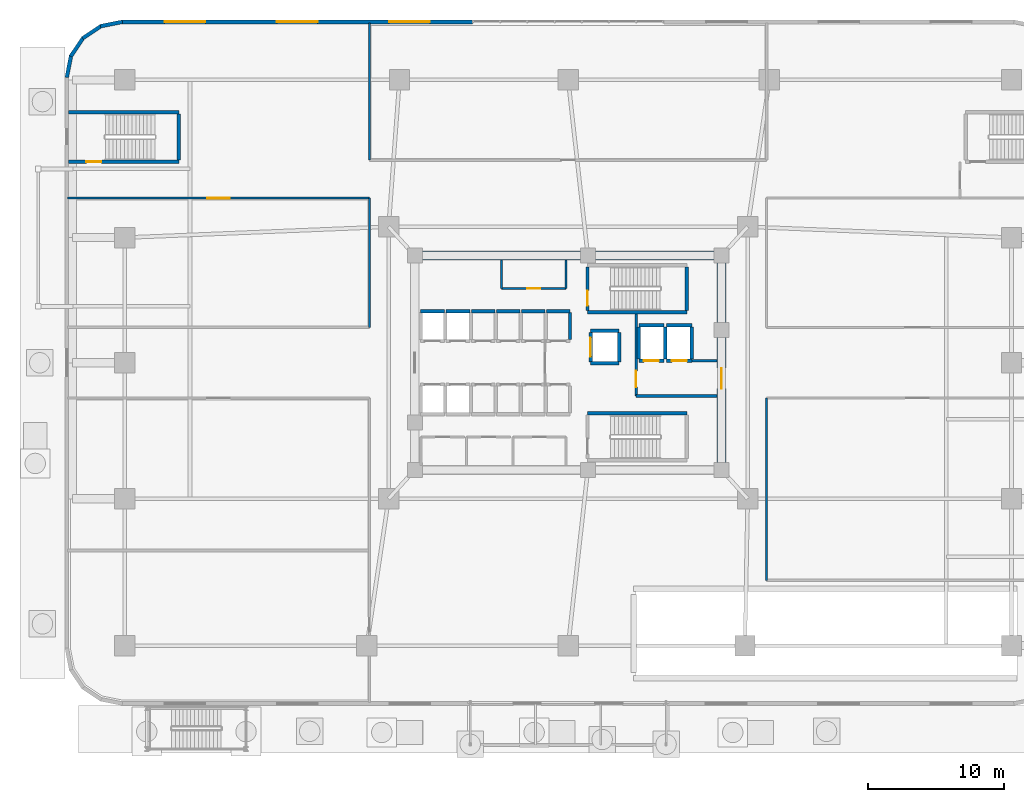
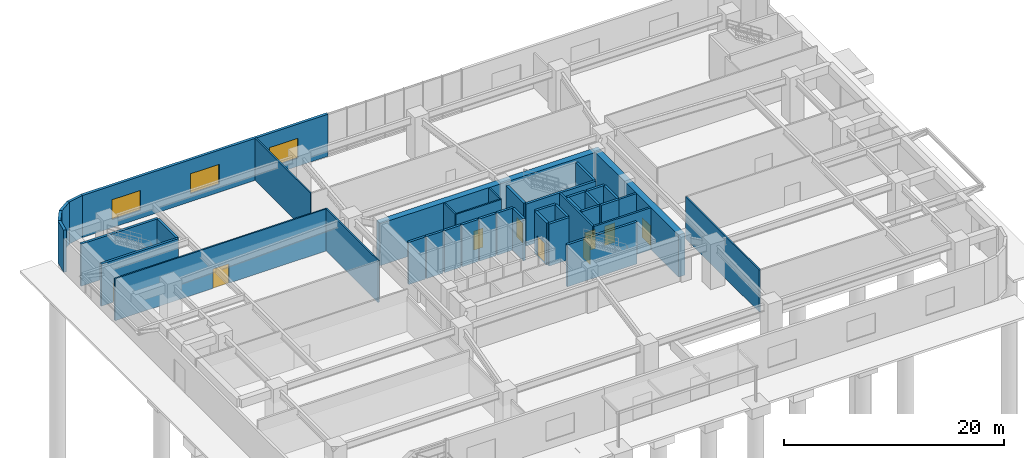
# One storey, part 13 of 18: 42 walls, 9 doors, 3 windows, 12 openings.
"""IFC4 building model written with IfcOpenShell, lengths in metres."""

from ifc_helpers import new_model, si_unit, direction, frame, frame_2d, origin, place, context, subcontext, project, spatial, rectangle, extrude, material, layer, layer_set, type_object, element, fill, save


model = new_model("IFC4")

# Units and contexts
model_context = context("Model", 3, precision=1e-05, world=origin(), true_north=direction((0.0, 1.0)))
body_context = subcontext(model_context, "Body", "Model", "MODEL_VIEW")
ifc_project = project(units=[si_unit("LENGTHUNIT", "METRE"), si_unit("AREAUNIT", "SQUARE_METRE"), si_unit("VOLUMEUNIT", "CUBIC_METRE"), si_unit("PLANEANGLEUNIT", "RADIAN"), si_unit("MASSUNIT", "GRAM", prefix="KILO")], contexts=[model_context])

# Site, building, storey
site_placement = place(None, origin())
site = spatial("IfcSite", under=ifc_project, at=site_placement, CompositionType="ELEMENT")
building_placement = place(site_placement, origin())
building = spatial("IfcBuilding", under=site, at=building_placement, Name="Zulverin Broadcast Headquarters", CompositionType="ELEMENT")
storey_placement = place(building_placement, origin())
storey = spatial("IfcBuildingStorey", under=building, at=storey_placement, Name="L00", CompositionType="ELEMENT", Elevation=0.0)

# Wall
ifc_material_1 = material(Name="Concrete C60/75", Category="concrete")
ifc_layer_1 = layer(ifc_material_1, 0.64990234375, Name="Concrete C60/75", Category="concrete")
ifc_layer_set_1 = layer_set([ifc_layer_1], Name="Concrete C60/75")
wall_type_1 = type_object("IfcWallType", Name="WL-CORE-650", PredefinedType="SHEAR", material=ifc_layer_set_1)
wall_1_placement = place(storey_placement, frame((25.39990234375, 33.074951171875, 0.0), z_axis=(0.0, 0.0, 1.0), x_axis=(1.0, 0.0, 0.0)))
element("IfcWall", 1, at=wall_1_placement, inside=storey, type_object=wall_type_1, Name="L00 Core North Shear Wall", PredefinedType="SHEAR", context=body_context, shape_type="SweptSolid", body=[
    extrude(rectangle(XDim=23.2001953125, YDim=0.64990234375, at=frame_2d((11.60009765625, 0.0))), origin(), (0.0, 0.0, 1.0), 4.659912109375),
])

# Wall, opening, door
wall_2_placement = place(storey_placement, frame((48.27490234375, 17.64990234375, 0.0), z_axis=(0.0, 0.0, 1.0), x_axis=(0.0, 1.0, 0.0)))
wall_2 = element("IfcWall", 2, at=wall_2_placement, inside=storey, type_object=wall_type_1, Name="L00 Core East Shear Wall", PredefinedType="SHEAR", context=body_context, shape_type="SweptSolid", body=[
    extrude(rectangle(XDim=15.10009765625, YDim=0.64990234375, at=frame_2d((7.550048828125, 0.0))), origin(), (0.0, 0.0, 1.0), 4.659912109375),
])
opening_1_placement = place(wall_2_placement, frame((5.64990234375, 0.0, 0.0)))
opening_1 = element("IfcOpeningElement", 3, at=opening_1_placement, cuts=wall_2, Name="Opening D-L00-CE1", PredefinedType="OPENING", context=body_context, shape_type="SweptSolid", body=[
    extrude(rectangle(XDim=1.5, YDim=2.14990234375, at=frame_2d((0.75, 1.074951171875))), frame((0.0, 0.3349609375, 0.0), z_axis=(0.0, -1.0, 0.0), x_axis=(1.0, 0.0, 0.0)), (0.0, 0.0, 1.0), 0.669921875),
])
ifc_material_2 = material(Name="Fire-rated glazed steel frame", Category="steel")
door_type_1 = type_object("IfcDoorType", Name="DR-COR-1500", OperationType="DOUBLE_DOOR_SINGLE_SWING", PredefinedType="DOOR", material=ifc_material_2)
door_1_placement = place(opening_1_placement, origin())
door_1 = element("IfcDoor", 4, at=door_1_placement, inside=storey, type_object=door_type_1, Name="L00 Firefighting Lobby East Corridor Door", OperationType="DOUBLE_DOOR_SINGLE_SWING", OverallHeight=2.14990234375, OverallWidth=1.5, PredefinedType="DOOR", context=body_context, shape_type="SweptSolid", body=[
    extrude(rectangle(XDim=1.5, YDim=2.14990234375, at=frame_2d((0.75, 1.074951171875))), frame((0.0, 0.02490234375, 0.0), z_axis=(0.0, -1.0, 0.0), x_axis=(1.0, 0.0, 0.0)), (0.0, 0.0, 1.0), 0.050048828125),
])
fill(opening_1, door_1)

# Wall, openings, windows
ifc_material_3 = material(Name="Insulated pale-metal clad concrete spandrel C40/50", Category="concrete")
ifc_layer_2 = layer(ifc_material_3, 0.280029296875, Name="Insulated pale-metal clad concrete spandrel C40/50", Category="concrete")
ifc_layer_set_2 = layer_set([ifc_layer_2], Name="Insulated pale-metal clad concrete spandrel C40/50")
wall_type_2 = type_object("IfcWallType", Name="WL-EXT-280", PredefinedType="STANDARD", material=ifc_layer_set_2)
wall_3_placement = place(storey_placement, frame((29.9619140625, 50.260009765625, 0.0), z_axis=(0.0, 0.0, 1.0), x_axis=(-1.0, 0.0, 0.0)))
wall_3 = element("IfcWall", 5, at=wall_3_placement, inside=storey, type_object=wall_type_2, Name="L00 Podium Flank Wall 2-2", PredefinedType="STANDARD", context=body_context, shape_type="SweptSolid", body=[
    extrude(rectangle(XDim=25.761962890625, YDim=0.280029296875, at=frame_2d((12.880859375, 0.0))), origin(), (0.0, 0.0, 1.0), 4.659912109375),
])
opening_2_placement = place(wall_3_placement, frame((3.126953125, 0.0, 0.89990234375)))
opening_2 = element("IfcOpeningElement", 6, at=opening_2_placement, cuts=wall_3, Name="Opening W-L00-F221", PredefinedType="OPENING", context=body_context, shape_type="SweptSolid", body=[
    extrude(rectangle(XDim=3.0, YDim=2.199951171875, at=frame_2d((1.5, 1.10009765625))), frame((0.0, 0.14990234375, 0.0), z_axis=(0.0, -1.0, 0.0), x_axis=(1.0, 0.0, 0.0)), (0.0, 0.0, 1.0), 0.300048828125),
])
opening_3_placement = place(wall_3_placement, frame((11.381103515625, 0.0, 0.89990234375)))
opening_3 = element("IfcOpeningElement", 7, at=opening_3_placement, cuts=wall_3, Name="Opening W-L00-F222", PredefinedType="OPENING", context=body_context, shape_type="SweptSolid", body=[
    extrude(rectangle(XDim=3.0, YDim=2.199951171875, at=frame_2d((1.5, 1.10009765625))), frame((0.0, 0.14990234375, 0.0), z_axis=(0.0, -1.0, 0.0), x_axis=(1.0, 0.0, 0.0)), (0.0, 0.0, 1.0), 0.300048828125),
])
opening_4_placement = place(wall_3_placement, frame((19.635009765625, 0.0, 0.89990234375)))
opening_4 = element("IfcOpeningElement", 8, at=opening_4_placement, cuts=wall_3, Name="Opening W-L00-F223", PredefinedType="OPENING", context=body_context, shape_type="SweptSolid", body=[
    extrude(rectangle(XDim=3.0, YDim=2.199951171875, at=frame_2d((1.5, 1.10009765625))), frame((0.0, 0.14990234375, 0.0), z_axis=(0.0, -1.0, 0.0), x_axis=(1.0, 0.0, 0.0)), (0.0, 0.0, 1.0), 0.300048828125),
])
ifc_material_4 = material(Name="Pale anodized aluminium frame with solar-control low-E double glazing", Category="aluminium")
window_type = type_object("IfcWindowType", Name="WIN-POD-3000", PartitioningType="SINGLE_PANEL", PredefinedType="WINDOW", material=ifc_material_4)
window_1_placement = place(opening_2_placement, origin())
window_1 = element("IfcWindow", 9, at=window_1_placement, inside=storey, type_object=window_type, Name="L00 Podium Flank Window 2-2 1", OverallHeight=2.199951171875, OverallWidth=3.0, PartitioningType="SINGLE_PANEL", PredefinedType="WINDOW", context=body_context, shape_type="SweptSolid", body=[
    extrude(rectangle(XDim=3.0, YDim=2.199951171875, at=frame_2d((1.5, 1.10009765625))), frame((0.0, 0.030029296875, 0.0), z_axis=(0.0, -1.0, 0.0), x_axis=(1.0, 0.0, 0.0)), (0.0, 0.0, 1.0), 0.06005859375),
])
fill(opening_2, window_1)
window_2_placement = place(opening_3_placement, origin())
window_2 = element("IfcWindow", 10, at=window_2_placement, inside=storey, type_object=window_type, Name="L00 Podium Flank Window 2-2 2", OverallHeight=2.199951171875, OverallWidth=3.0, PartitioningType="SINGLE_PANEL", PredefinedType="WINDOW", context=body_context, shape_type="SweptSolid", body=[
    extrude(rectangle(XDim=3.0, YDim=2.199951171875, at=frame_2d((1.5, 1.10009765625))), frame((0.0, 0.030029296875, 0.0), z_axis=(0.0, -1.0, 0.0), x_axis=(1.0, 0.0, 0.0)), (0.0, 0.0, 1.0), 0.06005859375),
])
fill(opening_3, window_2)
window_3_placement = place(opening_4_placement, origin())
window_3 = element("IfcWindow", 11, at=window_3_placement, inside=storey, type_object=window_type, Name="L00 Podium Flank Window 2-2 3", OverallHeight=2.199951171875, OverallWidth=3.0, PartitioningType="SINGLE_PANEL", PredefinedType="WINDOW", context=body_context, shape_type="SweptSolid", body=[
    extrude(rectangle(XDim=3.0, YDim=2.199951171875, at=frame_2d((1.5, 1.10009765625))), frame((0.0, 0.030029296875, 0.0), z_axis=(0.0, -1.0, 0.0), x_axis=(1.0, 0.0, 0.0)), (0.0, 0.0, 1.0), 0.06005859375),
])
fill(opening_4, window_3)

# Walls
wall_4_placement = place(storey_placement, frame((4.227294921875, 50.2626953125, 0.0), z_axis=(0.0, 0.0, 1.0), x_axis=(-0.980797825116, -0.195027244885, 0.0)))
element("IfcWall", 12, at=wall_4_placement, inside=storey, type_object=wall_type_2, Name="L00 Wind-Shaped Corner Spandrel Wall 2-1", PredefinedType="STANDARD", context=body_context, shape_type="SweptSolid", body=[
    extrude(rectangle(XDim=1.638671875, YDim=0.280029296875, at=frame_2d((0.8193359375, 0.0))), origin(), (0.0, 0.0, 1.0), 4.659912109375),
])
wall_5_placement = place(storey_placement, frame((2.67041015625, 49.9638671875, 0.0), z_axis=(0.0, 0.0, 1.0), x_axis=(-0.831430845238, -0.555628247651, 0.0)))
element("IfcWall", 13, at=wall_5_placement, inside=storey, type_object=wall_type_2, Name="L00 Wind-Shaped Corner Spandrel Wall 2-2", PredefinedType="STANDARD", context=body_context, shape_type="SweptSolid", body=[
    extrude(rectangle(XDim=1.638427734375, YDim=0.280029296875, at=frame_2d((0.8193359375, 0.0))), origin(), (0.0, 0.0, 1.0), 4.659912109375),
])
for number, where, z_axis, x_axis, name in (
    (14, (1.3466796875, 49.092041015625, 0.0), (0.0, 0.0, 1.0), (-0.555662407875, -0.831408015643, 0.0), "L00 Wind-Shaped Corner Spandrel Wall 2-3"),
    (15, (0.45703125, 47.780029296875, 0.0), (0.0, 0.0, 1.0), (-0.195142046967, -0.980774990253, 0.0), "L00 Wind-Shaped Corner Spandrel Wall 2-4"),
):
    element("IfcWall", number, at=place(storey_placement, frame(where, z_axis=z_axis, x_axis=x_axis)), inside=storey, type_object=wall_type_2, Name=name, PredefinedType="STANDARD", context=body_context, shape_type="SweptSolid", body=[
        extrude(rectangle(XDim=1.638916015625, YDim=0.280029296875, at=frame_2d((0.8193359375, 0.0))), origin(), (0.0, 0.0, 1.0), 4.659912109375),
    ])

# Wall, opening, door
ifc_material_5 = material(Name="Concrete C40/50", Category="concrete")
ifc_layer_3 = layer(ifc_material_5, 0.199951171875, Name="Concrete C40/50", Category="concrete")
ifc_layer_set_3 = layer_set([ifc_layer_3], Name="Concrete C40/50")
wall_type_3 = type_object("IfcWallType", Name="WL-FFL-200", PredefinedType="SOLIDWALL", material=ifc_layer_set_3)
wall_6_placement = place(storey_placement, frame((42.0, 22.75, 0.0), z_axis=(0.0, 0.0, 1.0), x_axis=(0.0, 1.0, 0.0)))
wall_6 = element("IfcWall", 16, at=wall_6_placement, inside=storey, type_object=wall_type_3, Name="L00 Firefighting Lift Lobby West Wall", PredefinedType="SOLIDWALL", context=body_context, shape_type="SweptSolid", body=[
    extrude(rectangle(XDim=6.050048828125, YDim=0.199951171875, at=frame_2d((3.02490234375, 0.0))), origin(), (0.0, 0.0, 1.0), 4.659912109375),
])
opening_5_placement = place(wall_6_placement, frame((0.64990234375, 0.0, 0.0)))
opening_5 = element("IfcOpeningElement", 17, at=opening_5_placement, cuts=wall_6, Name="Opening D-L00-FFLW", PredefinedType="OPENING", context=body_context, shape_type="SweptSolid", body=[
    extrude(rectangle(XDim=1.199951171875, YDim=2.14990234375, at=frame_2d((0.60009765625, 1.074951171875))), frame((0.0, 0.10986328125, 0.0), z_axis=(0.0, -1.0, 0.0), x_axis=(1.0, 0.0, 0.0)), (0.0, 0.0, 1.0), 0.219970703125),
])
ifc_material_6 = material(Name="Fire-rated steel leaf and frame", Category="steel")
door_type_2 = type_object("IfcDoorType", Name="DR-FFL-1200", OperationType="SINGLE_SWING_RIGHT", PredefinedType="DOOR", material=ifc_material_6)
door_2_placement = place(opening_5_placement, origin())
door_2 = element("IfcDoor", 18, at=door_2_placement, inside=storey, type_object=door_type_2, Name="L00 Firefighting Lift Lobby Door", OperationType="SINGLE_SWING_RIGHT", OverallHeight=2.14990234375, OverallWidth=1.199951171875, PredefinedType="DOOR", context=body_context, shape_type="SweptSolid", body=[
    extrude(rectangle(XDim=1.199951171875, YDim=2.14990234375, at=frame_2d((0.60009765625, 1.074951171875))), frame((0.0, 0.02490234375, 0.0), z_axis=(0.0, -1.0, 0.0), x_axis=(1.0, 0.0, 0.0)), (0.0, 0.0, 1.0), 0.050048828125),
])
fill(opening_5, door_2)

# Walls
wall_7_placement = place(storey_placement, frame((42.0, 22.75, 0.0), z_axis=(0.0, 0.0, 1.0), x_axis=(1.0, 0.0, 0.0)))
element("IfcWall", 19, at=wall_7_placement, inside=storey, type_object=wall_type_3, Name="L00 Firefighting Lift Lobby South Wall", PredefinedType="SOLIDWALL", context=body_context, shape_type="SweptSolid", body=[
    extrude(rectangle(XDim=5.949951171875, YDim=0.199951171875, at=frame_2d((2.97509765625, 0.0))), origin(), (0.0, 0.0, 1.0), 4.659912109375),
])
wall_8_placement = place(storey_placement, frame((46.10009765625, 25.35009765625, 0.0), z_axis=(0.0, 0.0, 1.0), x_axis=(1.0, 0.0, 0.0)))
element("IfcWall", 20, at=wall_8_placement, inside=storey, type_object=wall_type_3, Name="L00 Firefighting Lift Lobby North Wall", PredefinedType="SOLIDWALL", context=body_context, shape_type="SweptSolid", body=[
    extrude(rectangle(XDim=1.849853515625, YDim=0.199951171875, at=frame_2d((0.9248046875, 0.0))), origin(), (0.0, 0.0, 1.0), 4.659912109375),
])

# Wall, opening, door
ifc_material_7 = material(Name="Fire-rated gypsum stud partition", Category="gypsum")
ifc_layer_4 = layer(ifc_material_7, 0.14990234375, Name="Fire-rated gypsum stud partition", Category="gypsum")
ifc_layer_set_4 = layer_set([ifc_layer_4], Name="Fire-rated gypsum stud partition")
wall_type_4 = type_object("IfcWallType", Name="WL-PART-150", PredefinedType="PARTITIONING", material=ifc_layer_set_4)
wall_9_placement = place(storey_placement, frame((32.10009765625, 30.64990234375, 0.0), z_axis=(0.0, 0.0, 1.0), x_axis=(1.0, 0.0, 0.0)))
wall_9 = element("IfcWall", 21, at=wall_9_placement, inside=storey, type_object=wall_type_4, Name="L00 Core Accessible WC & Electrical Riser Front Wall", PredefinedType="PARTITIONING", context=body_context, shape_type="SweptSolid", body=[
    extrude(rectangle(XDim=4.75, YDim=0.14990234375, at=frame_2d((2.375, 0.0))), origin(), (0.0, 0.0, 1.0), 4.659912109375),
])
opening_6_placement = place(wall_9_placement, frame((1.89990234375, 0.0, 0.0)))
opening_6 = element("IfcOpeningElement", 22, at=opening_6_placement, cuts=wall_9, Name="Opening D-L00-NC1", PredefinedType="OPENING", context=body_context, shape_type="SweptSolid", body=[
    extrude(rectangle(XDim=0.949951171875, YDim=2.10009765625, at=frame_2d((0.47509765625, 1.050048828125))), frame((0.0, 0.0849609375, 0.0), z_axis=(0.0, -1.0, 0.0), x_axis=(1.0, 0.0, 0.0)), (0.0, 0.0, 1.0), 0.169921875),
])
ifc_material_8 = material(Name="Fire-rated moisture-resistant laminate leaf", Category="wood")
door_type_3 = type_object("IfcDoorType", Name="DR-WC-950", OperationType="SINGLE_SWING_LEFT", PredefinedType="DOOR", material=ifc_material_8)
door_3_placement = place(opening_6_placement, origin())
door_3 = element("IfcDoor", 23, at=door_3_placement, inside=storey, type_object=door_type_3, Name="L00 Accessible WC & Electrical Riser Door", OperationType="SINGLE_SWING_LEFT", OverallHeight=2.10009765625, OverallWidth=0.949951171875, PredefinedType="DOOR", context=body_context, shape_type="SweptSolid", body=[
    extrude(rectangle(XDim=0.949951171875, YDim=2.10009765625, at=frame_2d((0.47509765625, 1.050048828125))), frame((0.0, 0.02490234375, 0.0), z_axis=(0.0, -1.0, 0.0), x_axis=(1.0, 0.0, 0.0)), (0.0, 0.0, 1.0), 0.050048828125),
])
fill(opening_6, door_3)

# Walls
for number, where, z_axis, x_axis, name in (
    (24, (32.10009765625, 30.64990234375, 0.0), (0.0, 0.0, 1.0), (0.0, 1.0, 0.0), "L00 Core Accessible WC & Electrical Riser West Wall"),
    (25, (36.85009765625, 30.64990234375, 0.0), (0.0, 0.0, 1.0), (0.0, 1.0, 0.0), "L00 Core Accessible WC & Electrical Riser East Wall"),
):
    element("IfcWall", number, at=place(storey_placement, frame(where, z_axis=z_axis, x_axis=x_axis)), inside=storey, type_object=wall_type_4, Name=name, PredefinedType="PARTITIONING", context=body_context, shape_type="SweptSolid", body=[
        extrude(rectangle(XDim=2.10009765625, YDim=0.14990234375, at=frame_2d((1.050048828125, 0.0))), origin(), (0.0, 0.0, 1.0), 4.659912109375),
    ])
wall_10_placement = place(storey_placement, frame((51.60009765625, 9.199951171875, 0.0), z_axis=(0.0, 0.0, 1.0), x_axis=(0.0, 1.0, 0.0)))
element("IfcWall", 26, at=wall_10_placement, inside=storey, type_object=wall_type_4, Name="L00 Gallery Partition Wall CG-02", PredefinedType="PARTITIONING", context=body_context, shape_type="SweptSolid", body=[
    extrude(rectangle(XDim=13.400146484375, YDim=0.14990234375, at=frame_2d((6.7001953125, 0.0))), origin(), (0.0, 0.0, 1.0), 4.659912109375),
])
wall_11_placement = place(storey_placement, frame((22.39990234375, 27.800048828125, 0.0), z_axis=(0.0, 0.0, 1.0), x_axis=(0.0, 1.0, 0.0)))
element("IfcWall", 27, at=wall_11_placement, inside=storey, type_object=wall_type_4, Name="L00 Gallery Partition Wall CG-06", PredefinedType="PARTITIONING", context=body_context, shape_type="SweptSolid", body=[
    extrude(rectangle(XDim=9.5, YDim=0.14990234375, at=frame_2d((4.75, 0.0))), origin(), (0.0, 0.0, 1.0), 4.659912109375),
])
wall_12_placement = place(storey_placement, frame((22.39990234375, 40.10009765625, 0.0), z_axis=(0.0, 0.0, 1.0), x_axis=(0.0, 1.0, 0.0)))
element("IfcWall", 28, at=wall_12_placement, inside=storey, type_object=wall_type_4, Name="L00 Gallery Partition Wall CG-07", PredefinedType="PARTITIONING", context=body_context, shape_type="SweptSolid", body=[
    extrude(rectangle(XDim=10.094970703125, YDim=0.14990234375, at=frame_2d((5.04736328125, 0.0))), origin(), (0.0, 0.0, 1.0), 4.659912109375),
])

# Wall, opening, door
wall_13_placement = place(storey_placement, frame((0.205078125, 37.300048828125, 0.0), z_axis=(0.0, 0.0, 1.0), x_axis=(1.0, 0.0, 0.0)))
wall_13 = element("IfcWall", 29, at=wall_13_placement, inside=storey, type_object=wall_type_4, Name="L00 Gallery Partition Wall CG-14", PredefinedType="PARTITIONING", context=body_context, shape_type="SweptSolid", body=[
    extrude(rectangle(XDim=22.19482421875, YDim=0.14990234375, at=frame_2d((11.097412109375, 0.0))), origin(), (0.0, 0.0, 1.0), 4.659912109375),
])
opening_7_placement = place(wall_13_placement, frame((10.2724609375, 0.0, 0.0)))
opening_7 = element("IfcOpeningElement", 30, at=opening_7_placement, cuts=wall_13, Name="Opening D-L00-AUD", PredefinedType="OPENING", context=body_context, shape_type="SweptSolid", body=[
    extrude(rectangle(XDim=1.64990234375, YDim=2.14990234375, at=frame_2d((0.824951171875, 1.074951171875))), frame((0.0, 0.0849609375, 0.0), z_axis=(0.0, -1.0, 0.0), x_axis=(1.0, 0.0, 0.0)), (0.0, 0.0, 1.0), 0.169921875),
])
ifc_material_9 = material(Name="Fire-rated acoustic double leaf", Category="steel")
door_type_4 = type_object("IfcDoorType", Name="DR-AUD-1650", OperationType="DOUBLE_DOOR_SINGLE_SWING", PredefinedType="DOOR", material=ifc_material_9)
door_4_placement = place(opening_7_placement, origin())
door_4 = element("IfcDoor", 31, at=door_4_placement, inside=storey, type_object=door_type_4, Name="L00 Broadcast Media Exhibition Gallery Door", OperationType="DOUBLE_DOOR_SINGLE_SWING", OverallHeight=2.14990234375, OverallWidth=1.64990234375, PredefinedType="DOOR", context=body_context, shape_type="SweptSolid", body=[
    extrude(rectangle(XDim=1.64990234375, YDim=2.14990234375, at=frame_2d((0.824951171875, 1.074951171875))), frame((0.0, 0.02490234375, 0.0), z_axis=(0.0, -1.0, 0.0), x_axis=(1.0, 0.0, 0.0)), (0.0, 0.0, 1.0), 0.050048828125),
])
fill(opening_7, door_4)

# Wall
ifc_material_10 = material(Name="Concrete C50/60", Category="concrete")
ifc_layer_5 = layer(ifc_material_10, 0.25, Name="Concrete C50/60", Category="concrete")
ifc_layer_set_5 = layer_set([ifc_layer_5], Name="Concrete C50/60")
wall_type_5 = type_object("IfcWallType", Name="WL-SHAFT-250", PredefinedType="SHEAR", material=ifc_layer_set_5)
wall_14_placement = place(storey_placement, frame((38.425048828125, 28.925048828125, 0.0), z_axis=(0.0, 0.0, 1.0), x_axis=(1.0, 0.0, 0.0)))
element("IfcWall", 32, at=wall_14_placement, inside=storey, type_object=wall_type_5, Name="L00 ST-1 Enclosure Wall S", PredefinedType="SHEAR", context=body_context, shape_type="SweptSolid", body=[
    extrude(rectangle(XDim=7.300048828125, YDim=0.25, at=frame_2d((3.64990234375, 0.0))), origin(), (0.0, 0.0, 1.0), 4.659912109375),
])

# Wall, opening, door
wall_15_placement = place(storey_placement, frame((38.425048828125, 29.050048828125, 0.0), z_axis=(0.0, 0.0, 1.0), x_axis=(0.0, 1.0, 0.0)))
wall_15 = element("IfcWall", 33, at=wall_15_placement, inside=storey, type_object=wall_type_5, Name="L00 ST-1 Enclosure Wall W", PredefinedType="SHEAR", context=body_context, shape_type="SweptSolid", body=[
    extrude(rectangle(XDim=3.199951171875, YDim=0.25, at=frame_2d((1.60009765625, 0.0))), origin(), (0.0, 0.0, 1.0), 4.659912109375),
])
opening_8_placement = place(wall_15_placement, frame((0.35009765625, 0.0, 0.0)))
opening_8 = element("IfcOpeningElement", 34, at=opening_8_placement, cuts=wall_15, Name="Opening D-L00-ST-1", PredefinedType="OPENING", context=body_context, shape_type="SweptSolid", body=[
    extrude(rectangle(XDim=1.10009765625, YDim=2.14990234375, at=frame_2d((0.550048828125, 1.074951171875))), frame((0.0, 0.135009765625, 0.0), z_axis=(0.0, -1.0, 0.0), x_axis=(1.0, 0.0, 0.0)), (0.0, 0.0, 1.0), 0.27001953125),
])
door_type_5 = type_object("IfcDoorType", Name="DR-STAIR-1100", OperationType="SINGLE_SWING_LEFT", PredefinedType="DOOR", material=ifc_material_6)
door_5_placement = place(opening_8_placement, origin())
door_5 = element("IfcDoor", 35, at=door_5_placement, inside=storey, type_object=door_type_5, Name="L00 Exit Stair ST-1 Fire Door", OperationType="SINGLE_SWING_LEFT", OverallHeight=2.14990234375, OverallWidth=1.10009765625, PredefinedType="DOOR", context=body_context, shape_type="SweptSolid", body=[
    extrude(rectangle(XDim=1.10009765625, YDim=2.14990234375, at=frame_2d((0.550048828125, 1.074951171875))), frame((0.0, 0.02490234375, 0.0), z_axis=(0.0, -1.0, 0.0), x_axis=(1.0, 0.0, 0.0)), (0.0, 0.0, 1.0), 0.050048828125),
])
fill(opening_8, door_5)

# Walls
wall_16_placement = place(storey_placement, frame((45.72509765625, 29.050048828125, 0.0), z_axis=(0.0, 0.0, 1.0), x_axis=(0.0, 1.0, 0.0)))
element("IfcWall", 36, at=wall_16_placement, inside=storey, type_object=wall_type_5, Name="L00 ST-1 Enclosure Wall E", PredefinedType="SHEAR", context=body_context, shape_type="SweptSolid", body=[
    extrude(rectangle(XDim=3.199951171875, YDim=0.25, at=frame_2d((1.60009765625, 0.0))), origin(), (0.0, 0.0, 1.0), 4.659912109375),
])
wall_17_placement = place(storey_placement, frame((38.425048828125, 21.47509765625, 0.0), z_axis=(0.0, 0.0, 1.0), x_axis=(1.0, 0.0, 0.0)))
element("IfcWall", 37, at=wall_17_placement, inside=storey, type_object=wall_type_5, Name="L00 ST-2 Enclosure Wall N", PredefinedType="SHEAR", context=body_context, shape_type="SweptSolid", body=[
    extrude(rectangle(XDim=7.300048828125, YDim=0.25, at=frame_2d((3.64990234375, 0.0))), origin(), (0.0, 0.0, 1.0), 4.659912109375),
])

# Wall, opening, door
wall_18_placement = place(storey_placement, frame((0.280029296875, 39.97509765625, 0.0), z_axis=(0.0, 0.0, 1.0), x_axis=(1.0, 0.0, 0.0)))
wall_18 = element("IfcWall", 38, at=wall_18_placement, inside=storey, type_object=wall_type_5, Name="L00 ST-3 Enclosure Wall S", PredefinedType="SHEAR", context=body_context, shape_type="SweptSolid", body=[
    extrude(rectangle(XDim=8.094970703125, YDim=0.25, at=frame_2d((4.04736328125, 0.0))), origin(), (0.0, 0.0, 1.0), 4.659912109375),
])
opening_9_placement = place(wall_18_placement, frame((1.294921875, 0.0, 0.0)))
opening_9 = element("IfcOpeningElement", 39, at=opening_9_placement, cuts=wall_18, Name="Opening D-L00-ST-3", PredefinedType="OPENING", context=body_context, shape_type="SweptSolid", body=[
    extrude(rectangle(XDim=1.10009765625, YDim=2.14990234375, at=frame_2d((0.550048828125, 1.074951171875))), frame((0.0, 0.135009765625, 0.0), z_axis=(0.0, -1.0, 0.0), x_axis=(1.0, 0.0, 0.0)), (0.0, 0.0, 1.0), 0.27001953125),
])
door_6_placement = place(opening_9_placement, origin())
door_6 = element("IfcDoor", 40, at=door_6_placement, inside=storey, type_object=door_type_5, Name="L00 Exit Stair ST-3 Fire Door", OperationType="SINGLE_SWING_LEFT", OverallHeight=2.14990234375, OverallWidth=1.10009765625, PredefinedType="DOOR", context=body_context, shape_type="SweptSolid", body=[
    extrude(rectangle(XDim=1.10009765625, YDim=2.14990234375, at=frame_2d((0.550048828125, 1.074951171875))), frame((0.0, 0.02490234375, 0.0), z_axis=(0.0, -1.0, 0.0), x_axis=(1.0, 0.0, 0.0)), (0.0, 0.0, 1.0), 0.050048828125),
])
fill(opening_9, door_6)

# Walls
wall_19_placement = place(storey_placement, frame((0.280029296875, 43.625, 0.0), z_axis=(0.0, 0.0, 1.0), x_axis=(1.0, 0.0, 0.0)))
element("IfcWall", 41, at=wall_19_placement, inside=storey, type_object=wall_type_5, Name="L00 ST-3 Enclosure Wall N", PredefinedType="SHEAR", context=body_context, shape_type="SweptSolid", body=[
    extrude(rectangle(XDim=8.094970703125, YDim=0.25, at=frame_2d((4.04736328125, 0.0))), origin(), (0.0, 0.0, 1.0), 4.659912109375),
])
wall_20_placement = place(storey_placement, frame((8.375, 40.10009765625, 0.0), z_axis=(0.0, 0.0, 1.0), x_axis=(0.0, 1.0, 0.0)))
element("IfcWall", 42, at=wall_20_placement, inside=storey, type_object=wall_type_5, Name="L00 ST-3 Enclosure Wall E", PredefinedType="SHEAR", context=body_context, shape_type="SweptSolid", body=[
    extrude(rectangle(XDim=3.39990234375, YDim=0.25, at=frame_2d((1.699951171875, 0.0))), origin(), (0.0, 0.0, 1.0), 4.659912109375),
])
for number, where, z_axis, x_axis, name in (
    (43, (26.14990234375, 29.0, 0.0), (0.0, 0.0, 1.0), (1.0, 0.0, 0.0), "L00 Lift PL-L1 Shaft Wall N"),
    (44, (28.02001953125, 29.0, 0.0), (0.0, 0.0, 1.0), (1.0, 0.0, 0.0), "L00 Lift PL-L2 Shaft Wall N"),
):
    element("IfcWall", number, at=place(storey_placement, frame(where, z_axis=z_axis, x_axis=x_axis)), inside=storey, type_object=wall_type_5, Name=name, PredefinedType="SHEAR", context=body_context, shape_type="SweptSolid", body=[
        extrude(rectangle(XDim=1.75, YDim=0.25, at=frame_2d((0.875, 0.0))), origin(), (0.0, 0.0, 1.0), 4.659912109375),
    ])
wall_21_placement = place(storey_placement, frame((29.89990234375, 29.0, 0.0), z_axis=(0.0, 0.0, 1.0), x_axis=(1.0, 0.0, 0.0)))
element("IfcWall", 45, at=wall_21_placement, inside=storey, type_object=wall_type_5, Name="L00 Lift PL-H1 Shaft Wall N", PredefinedType="SHEAR", context=body_context, shape_type="SweptSolid", body=[
    extrude(rectangle(XDim=1.72021484375, YDim=0.25, at=frame_2d((0.860107421875, 0.0))), origin(), (0.0, 0.0, 1.0), 4.659912109375),
])
for number, where, z_axis, x_axis, name in (
    (46, (31.739990234375, 29.0, 0.0), (0.0, 0.0, 1.0), (1.0, 0.0, 0.0), "L00 Lift PL-H2 Shaft Wall N"),
    (47, (33.580078125, 29.0, 0.0), (0.0, 0.0, 1.0), (1.0, 0.0, 0.0), "L00 Lift PL-H3 Shaft Wall N"),
    (48, (35.419921875, 29.0, 0.0), (0.0, 0.0, 1.0), (1.0, 0.0, 0.0), "L00 Lift PL-H4 Shaft Wall N"),
):
    element("IfcWall", number, at=place(storey_placement, frame(where, z_axis=z_axis, x_axis=x_axis)), inside=storey, type_object=wall_type_5, Name=name, PredefinedType="SHEAR", context=body_context, shape_type="SweptSolid", body=[
        extrude(rectangle(XDim=1.719970703125, YDim=0.25, at=frame_2d((0.85986328125, 0.0))), origin(), (0.0, 0.0, 1.0), 4.659912109375),
    ])
wall_22_placement = place(storey_placement, frame((37.139892578125, 26.919921875, 0.0), z_axis=(0.0, 0.0, 1.0), x_axis=(0.0, 1.0, 0.0)))
element("IfcWall", 49, at=wall_22_placement, inside=storey, type_object=wall_type_5, Name="L00 Lift PL-H4 Shaft Wall E", PredefinedType="SHEAR", context=body_context, shape_type="SweptSolid", body=[
    extrude(rectangle(XDim=1.9599609375, YDim=0.25, at=frame_2d((0.97998046875, 0.0))), origin(), (0.0, 0.0, 1.0), 4.659912109375),
])

# Wall, opening, door
wall_23_placement = place(storey_placement, frame((42.199951171875, 25.35009765625, 0.0), z_axis=(0.0, 0.0, 1.0), x_axis=(1.0, 0.0, 0.0)))
wall_23 = element("IfcWall", 50, at=wall_23_placement, inside=storey, type_object=wall_type_5, Name="L00 Lift FFL-1 Shaft Wall S", PredefinedType="SHEAR", context=body_context, shape_type="SweptSolid", body=[
    extrude(rectangle(XDim=1.85009765625, YDim=0.25, at=frame_2d((0.925048828125, 0.0))), origin(), (0.0, 0.0, 1.0), 4.659912109375),
])
opening_10_placement = place(wall_23_placement, frame((0.375, 0.0, 0.0)))
opening_10 = element("IfcOpeningElement", 51, at=opening_10_placement, cuts=wall_23, Name="Opening LD-FFL-1-L00", PredefinedType="OPENING", context=body_context, shape_type="SweptSolid", body=[
    extrude(rectangle(XDim=1.10009765625, YDim=2.14990234375, at=frame_2d((0.550048828125, 1.074951171875))), frame((0.0, 0.135009765625, 0.0), z_axis=(0.0, -1.0, 0.0), x_axis=(1.0, 0.0, 0.0)), (0.0, 0.0, 1.0), 0.27001953125),
])
ifc_material_11 = material(Name="Fire-rated stainless landing door", Category="steel")
door_type_6 = type_object("IfcDoorType", Name="LD-FFL-1100", OperationType="DOUBLE_DOOR_SLIDING", PredefinedType="DOOR", material=ifc_material_11)
door_7_placement = place(opening_10_placement, origin())
door_7 = element("IfcDoor", 52, at=door_7_placement, inside=storey, type_object=door_type_6, Name="L00 Lift FFL-1 Sliding Landing Door", OperationType="DOUBLE_DOOR_SLIDING", OverallHeight=2.14990234375, OverallWidth=1.10009765625, PredefinedType="DOOR", context=body_context, shape_type="SweptSolid", body=[
    extrude(rectangle(XDim=1.10009765625, YDim=2.14990234375, at=frame_2d((0.550048828125, 1.074951171875))), frame((0.0, 0.02490234375, 0.0), z_axis=(0.0, -1.0, 0.0), x_axis=(1.0, 0.0, 0.0)), (0.0, 0.0, 1.0), 0.050048828125),
])
fill(opening_10, door_7)

# Walls
wall_24_placement = place(storey_placement, frame((42.199951171875, 27.949951171875, 0.0), z_axis=(0.0, 0.0, 1.0), x_axis=(1.0, 0.0, 0.0)))
element("IfcWall", 53, at=wall_24_placement, inside=storey, type_object=wall_type_5, Name="L00 Lift FFL-1 Shaft Wall N", PredefinedType="SHEAR", context=body_context, shape_type="SweptSolid", body=[
    extrude(rectangle(XDim=1.85009765625, YDim=0.25, at=frame_2d((0.925048828125, 0.0))), origin(), (0.0, 0.0, 1.0), 4.659912109375),
])
for number, where, z_axis, x_axis, name in (
    (54, (42.199951171875, 25.469970703125, 0.0), (0.0, 0.0, 1.0), (0.0, 1.0, 0.0), "L00 Lift FFL-1 Shaft Wall W"),
    (55, (44.14990234375, 25.469970703125, 0.0), (0.0, 0.0, 1.0), (0.0, 1.0, 0.0), "L00 Lift FFL-1 Shaft Wall E"),
):
    element("IfcWall", number, at=place(storey_placement, frame(where, z_axis=z_axis, x_axis=x_axis)), inside=storey, type_object=wall_type_5, Name=name, PredefinedType="SHEAR", context=body_context, shape_type="SweptSolid", body=[
        extrude(rectangle(XDim=2.360107421875, YDim=0.25, at=frame_2d((1.18017578125, 0.0))), origin(), (0.0, 0.0, 1.0), 4.659912109375),
    ])

# Wall, opening, door
wall_25_placement = place(storey_placement, frame((44.25, 25.35009765625, 0.0), z_axis=(0.0, 0.0, 1.0), x_axis=(1.0, 0.0, 0.0)))
wall_25 = element("IfcWall", 56, at=wall_25_placement, inside=storey, type_object=wall_type_5, Name="L00 Lift FFL-2 Shaft Wall S", PredefinedType="SHEAR", context=body_context, shape_type="SweptSolid", body=[
    extrude(rectangle(XDim=1.85009765625, YDim=0.25, at=frame_2d((0.925048828125, 0.0))), origin(), (0.0, 0.0, 1.0), 4.659912109375),
])
opening_11_placement = place(wall_25_placement, frame((0.375, 0.0, 0.0)))
opening_11 = element("IfcOpeningElement", 57, at=opening_11_placement, cuts=wall_25, Name="Opening LD-FFL-2-L00", PredefinedType="OPENING", context=body_context, shape_type="SweptSolid", body=[
    extrude(rectangle(XDim=1.10009765625, YDim=2.14990234375, at=frame_2d((0.550048828125, 1.074951171875))), frame((0.0, 0.135009765625, 0.0), z_axis=(0.0, -1.0, 0.0), x_axis=(1.0, 0.0, 0.0)), (0.0, 0.0, 1.0), 0.27001953125),
])
door_8_placement = place(opening_11_placement, origin())
door_8 = element("IfcDoor", 58, at=door_8_placement, inside=storey, type_object=door_type_6, Name="L00 Lift FFL-2 Sliding Landing Door", OperationType="DOUBLE_DOOR_SLIDING", OverallHeight=2.14990234375, OverallWidth=1.10009765625, PredefinedType="DOOR", context=body_context, shape_type="SweptSolid", body=[
    extrude(rectangle(XDim=1.10009765625, YDim=2.14990234375, at=frame_2d((0.550048828125, 1.074951171875))), frame((0.0, 0.02490234375, 0.0), z_axis=(0.0, -1.0, 0.0), x_axis=(1.0, 0.0, 0.0)), (0.0, 0.0, 1.0), 0.050048828125),
])
fill(opening_11, door_8)

# Walls
wall_26_placement = place(storey_placement, frame((44.25, 27.949951171875, 0.0), z_axis=(0.0, 0.0, 1.0), x_axis=(1.0, 0.0, 0.0)))
element("IfcWall", 59, at=wall_26_placement, inside=storey, type_object=wall_type_5, Name="L00 Lift FFL-2 Shaft Wall N", PredefinedType="SHEAR", context=body_context, shape_type="SweptSolid", body=[
    extrude(rectangle(XDim=1.85009765625, YDim=0.25, at=frame_2d((0.925048828125, 0.0))), origin(), (0.0, 0.0, 1.0), 4.659912109375),
])
wall_27_placement = place(storey_placement, frame((46.10009765625, 25.469970703125, 0.0), z_axis=(0.0, 0.0, 1.0), x_axis=(0.0, 1.0, 0.0)))
element("IfcWall", 60, at=wall_27_placement, inside=storey, type_object=wall_type_5, Name="L00 Lift FFL-2 Shaft Wall E", PredefinedType="SHEAR", context=body_context, shape_type="SweptSolid", body=[
    extrude(rectangle(XDim=2.360107421875, YDim=0.25, at=frame_2d((1.18017578125, 0.0))), origin(), (0.0, 0.0, 1.0), 4.659912109375),
])
for number, where, z_axis, x_axis, name in (
    (61, (38.64990234375, 25.14990234375, 0.0), (0.0, 0.0, 1.0), (1.0, 0.0, 0.0), "L00 Lift SVL-1 Shaft Wall S"),
    (62, (38.64990234375, 27.550048828125, 0.0), (0.0, 0.0, 1.0), (1.0, 0.0, 0.0), "L00 Lift SVL-1 Shaft Wall N"),
):
    element("IfcWall", number, at=place(storey_placement, frame(where, z_axis=z_axis, x_axis=x_axis)), inside=storey, type_object=wall_type_5, Name=name, PredefinedType="SHEAR", context=body_context, shape_type="SweptSolid", body=[
        extrude(rectangle(XDim=2.10009765625, YDim=0.25, at=frame_2d((1.050048828125, 0.0))), origin(), (0.0, 0.0, 1.0), 4.659912109375),
    ])

# Wall, opening, door
wall_28_placement = place(storey_placement, frame((38.64990234375, 25.27001953125, 0.0), z_axis=(0.0, 0.0, 1.0), x_axis=(0.0, 1.0, 0.0)))
wall_28 = element("IfcWall", 63, at=wall_28_placement, inside=storey, type_object=wall_type_5, Name="L00 Lift SVL-1 Shaft Wall W", PredefinedType="SHEAR", context=body_context, shape_type="SweptSolid", body=[
    extrude(rectangle(XDim=2.159912109375, YDim=0.25, at=frame_2d((1.080078125, 0.0))), origin(), (0.0, 0.0, 1.0), 4.659912109375),
])
opening_12_placement = place(wall_28_placement, frame((0.3798828125, 0.0, 0.0)))
opening_12 = element("IfcOpeningElement", 64, at=opening_12_placement, cuts=wall_28, Name="Opening LD-SVL-1-L00", PredefinedType="OPENING", context=body_context, shape_type="SweptSolid", body=[
    extrude(rectangle(XDim=1.39990234375, YDim=2.199951171875, at=frame_2d((0.699951171875, 1.10009765625))), frame((0.0, 0.135009765625, 0.0), z_axis=(0.0, -1.0, 0.0), x_axis=(1.0, 0.0, 0.0)), (0.0, 0.0, 1.0), 0.27001953125),
])
ifc_material_12 = material(Name="Heavy-duty stainless landing door", Category="steel")
door_type_7 = type_object("IfcDoorType", Name="LD-GOODS-1400", OperationType="DOUBLE_DOOR_SLIDING", PredefinedType="DOOR", material=ifc_material_12)
door_9_placement = place(opening_12_placement, origin())
door_9 = element("IfcDoor", 65, at=door_9_placement, inside=storey, type_object=door_type_7, Name="L00 Lift SVL-1 Sliding Landing Door", OperationType="DOUBLE_DOOR_SLIDING", OverallHeight=2.199951171875, OverallWidth=1.39990234375, PredefinedType="DOOR", context=body_context, shape_type="SweptSolid", body=[
    extrude(rectangle(XDim=1.39990234375, YDim=2.199951171875, at=frame_2d((0.699951171875, 1.10009765625))), frame((0.0, 0.02490234375, 0.0), z_axis=(0.0, -1.0, 0.0), x_axis=(1.0, 0.0, 0.0)), (0.0, 0.0, 1.0), 0.050048828125),
])
fill(opening_12, door_9)

# Wall
wall_29_placement = place(storey_placement, frame((40.75, 25.27001953125, 0.0), z_axis=(0.0, 0.0, 1.0), x_axis=(0.0, 1.0, 0.0)))
element("IfcWall", 66, at=wall_29_placement, inside=storey, type_object=wall_type_5, Name="L00 Lift SVL-1 Shaft Wall E", PredefinedType="SHEAR", context=body_context, shape_type="SweptSolid", body=[
    extrude(rectangle(XDim=2.159912109375, YDim=0.25, at=frame_2d((1.080078125, 0.0))), origin(), (0.0, 0.0, 1.0), 4.659912109375),
])

save(model, "model.ifc")
